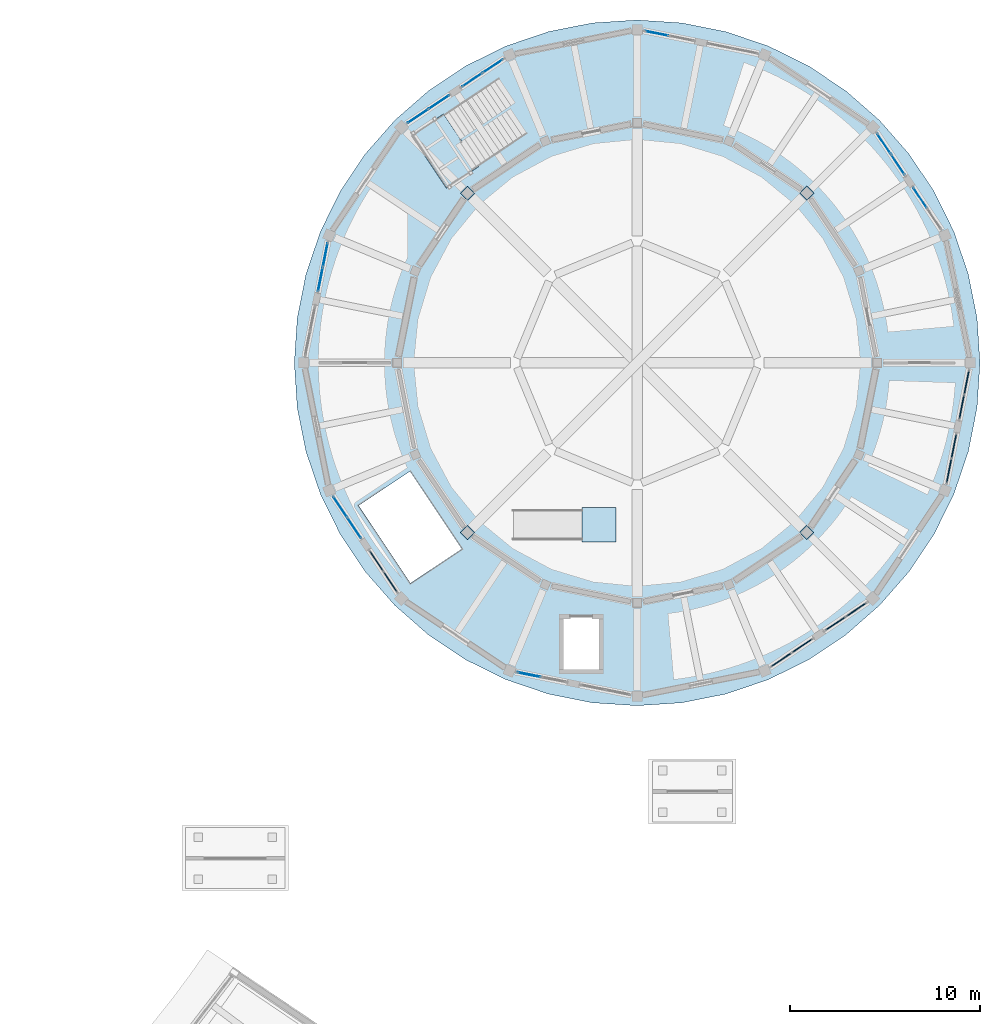
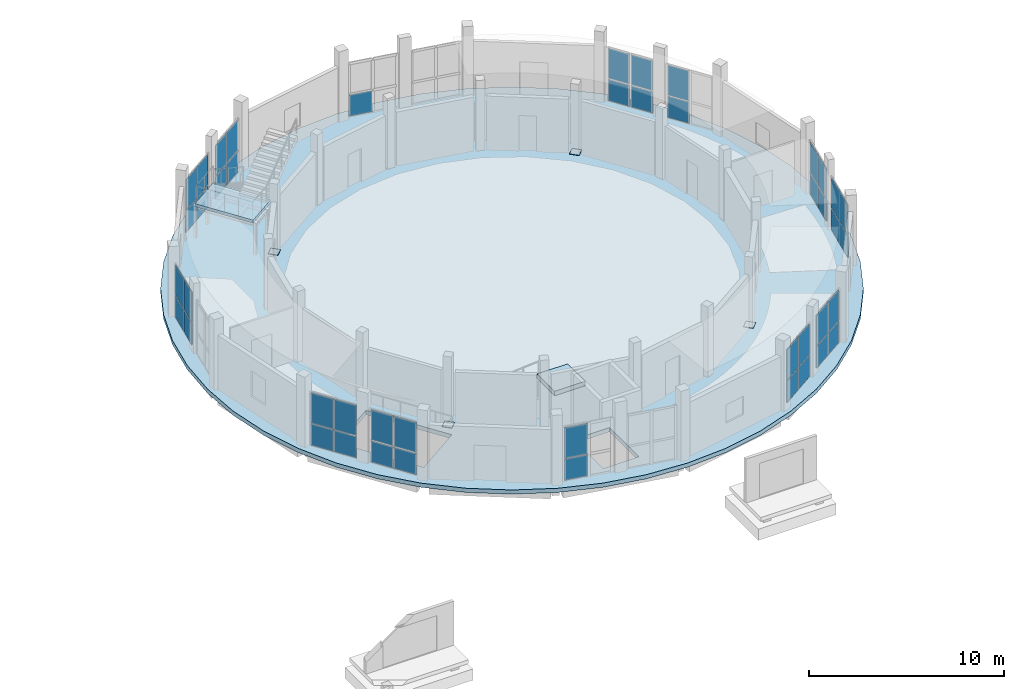
# One storey, part 57 of 92: 49 plates, 3 slabs, 14 elements without a shape of their own.
"""IFC4 building model written with IfcOpenShell, lengths in metres."""

from ifc_helpers import new_model, si_unit, direction, frame, origin, origin_2d, place, context, subcontext, project, spatial, polyline, rectangle, outline, extrude, material, layer, layer_set, type_object, element, aggregate, save


model = new_model("IFC4")

# Units and contexts
model_context = context("Model", 3, precision=1e-05, world=origin(), true_north=direction((0.0, 1.0)))
body_context = subcontext(model_context, "Body", "Model", "MODEL_VIEW")
ifc_project = project(units=[si_unit("LENGTHUNIT", "METRE"), si_unit("AREAUNIT", "SQUARE_METRE"), si_unit("VOLUMEUNIT", "CUBIC_METRE"), si_unit("PLANEANGLEUNIT", "RADIAN"), si_unit("MASSUNIT", "GRAM", prefix="KILO")], contexts=[model_context])

# Site, building, storey
site_placement = place(None, origin())
site = spatial("IfcSite", under=ifc_project, at=site_placement, CompositionType="ELEMENT")
building_placement = place(site_placement, origin())
building = spatial("IfcBuilding", under=site, at=building_placement, Name="Caldaven Crescent School", CompositionType="ELEMENT")
storey_placement = place(building_placement, origin())
storey = spatial("IfcBuildingStorey", under=building, at=storey_placement, Name="L00", CompositionType="ELEMENT", Elevation=0.0)

# Plates
ifc_material_1 = material(Name="Steel ASTM A572 Grade 50", Category="steel")
ifc_layer_1 = layer(ifc_material_1, 0.02001953125)
ifc_layer_set_1 = layer_set([ifc_layer_1], Name="Steel ASTM A572 Grade 50")
plate_type_1 = type_object("IfcPlateType", Name="PLT-BAS1", PredefinedType="SHEET", material=ifc_layer_set_1)
for number, where, z_axis, x_axis, name in (
    (1, (161.409423828125, 107.409423828125, 0.0), (0.0, 0.0, 1.0), (0.707106781187, 0.707106781187, 0.0), "PLT-BAS-V1-02"),
    (2, (143.590576171875, 107.409423828125, 0.0), (0.0, 0.0, 1.0), (-0.707106781187, 0.707106781187, 0.0), "PLT-BAS-V1-06"),
    (3, (143.590576171875, 89.590576171875, 0.0), (0.0, 0.0, 1.0), (-0.707106781187, -0.707106781187, 0.0), "PLT-BAS-V1-10"),
    (4, (161.409423828125, 89.590576171875, 0.0), (0.0, 0.0, 1.0), (0.707106781187, -0.707106781187, 0.0), "PLT-BAS-V1-14"),
):
    element("IfcPlate", number, at=place(storey_placement, frame(where, z_axis=z_axis, x_axis=x_axis)), inside=storey, type_object=plate_type_1, Name=name, PredefinedType="SHEET", context=body_context, shape_type="SweptSolid", body=[
        extrude(rectangle(XDim=0.52001953125, YDim=0.52001953125, at=origin_2d()), origin(), (0.0, 0.0, 1.0), 0.02001953125),
    ])

# Curtain wall, plates
ifc_material_2 = material(Name="Anodised aluminium AA 6063-T6 and low-E double glazing", Category="aluminium")
ifc_layer_2 = layer(ifc_material_2, 0.18994140625)
ifc_layer_set_2 = layer_set([ifc_layer_2], Name="Anodised aluminium AA 6063-T6 and low-E double glazing")
curtain_wall_type_1 = type_object("IfcCurtainWallType", Name="CW-SYS2", PredefinedType="NOTDEFINED", material=ifc_layer_set_2)
curtain_wall_1_placement = place(storey_placement, origin())
curtain_wall_1 = element("IfcCurtainWall", 5, at=curtain_wall_1_placement, inside=storey, type_object=curtain_wall_type_1, Name="CW-L00-001", PredefinedType="NOTDEFINED")
ifc_material_3 = material(Name="Tempered low-E double glazing IGU", Category="glass")
ifc_layer_3 = layer(ifc_material_3, 0.028076171875)
ifc_layer_set_3 = layer_set([ifc_layer_3], Name="Tempered low-E double glazing IGU")
plate_type_2 = type_object("IfcPlateType", Name="PLT-CWP02", PredefinedType="CURTAIN_PANEL", material=ifc_layer_set_3)
plate_1_placement = place(storey_placement, frame((167.354248046875, 107.162841796875, 0.06005859375), z_axis=(0.0, 0.0, 1.0), x_axis=(-0.555569320019, 0.83147022235, 0.0)))
plate_1 = element("IfcPlate", 6, at=plate_1_placement, type_object=plate_type_2, Name="CW2 panel 2.1", PredefinedType="CURTAIN_PANEL", context=body_context, shape_type="SweptSolid", body=[
    extrude(rectangle(XDim=1.24951171875, YDim=0.028076171875, at=origin_2d()), origin(), (0.0, 0.0, 1.0), 1.337890625),
])
plate_2_placement = place(storey_placement, frame((167.354248046875, 107.162841796875, 1.4580078125), z_axis=(0.0, 0.0, 1.0), x_axis=(-0.555569320019, 0.83147022235, 0.0)))
plate_2 = element("IfcPlate", 7, at=plate_2_placement, type_object=plate_type_2, Name="CW2 panel 2.2", PredefinedType="CURTAIN_PANEL", context=body_context, shape_type="SweptSolid", body=[
    extrude(rectangle(XDim=1.24951171875, YDim=0.028076171875, at=origin_2d()), origin(), (0.0, 0.0, 1.0), 1.882080078125),
])
aggregate(curtain_wall_1, [plate_1, plate_2])

ifc_layer_4 = layer(ifc_material_2, 0.2099609375)
ifc_layer_set_4 = layer_set([ifc_layer_4], Name="Anodised aluminium AA 6063-T6 and low-E double glazing")
curtain_wall_type_2 = type_object("IfcCurtainWallType", Name="CW-SYS3", PredefinedType="NOTDEFINED", material=ifc_layer_set_4)
curtain_wall_2_placement = place(storey_placement, origin())
curtain_wall_2 = element("IfcCurtainWall", 8, at=curtain_wall_2_placement, inside=storey, type_object=curtain_wall_type_2, Name="CW-L00-002", PredefinedType="NOTDEFINED")
ifc_layer_5 = layer(ifc_material_3, 0.030029296875)
ifc_layer_set_5 = layer_set([ifc_layer_5], Name="Tempered low-E double glazing IGU")
plate_type_3 = type_object("IfcPlateType", Name="PLT-CWP03", PredefinedType="CURTAIN_PANEL", material=ifc_layer_set_5)
plate_3_placement = place(storey_placement, frame((166.187255859375, 108.90966796875, 0.06494140625), z_axis=(0.0, 0.0, 1.0), x_axis=(-0.555571886154, 0.831468507711, 0.0)))
plate_3 = element("IfcPlate", 9, at=plate_3_placement, type_object=plate_type_3, Name="CW3 panel 1.1", PredefinedType="CURTAIN_PANEL", context=body_context, shape_type="SweptSolid", body=[
    extrude(rectangle(XDim=1.241943359375, YDim=0.030029296875, at=origin_2d()), origin(), (0.0, 0.0, 1.0), 1.33056640625),
])
plate_4_placement = place(storey_placement, frame((166.187255859375, 108.90966796875, 1.46044921875), z_axis=(0.0, 0.0, 1.0), x_axis=(-0.555571886154, 0.831468507711, 0.0)))
plate_4 = element("IfcPlate", 10, at=plate_4_placement, type_object=plate_type_3, Name="CW3 panel 1.2", PredefinedType="CURTAIN_PANEL", context=body_context, shape_type="SweptSolid", body=[
    extrude(rectangle(XDim=1.241943359375, YDim=0.030029296875, at=origin_2d()), origin(), (0.0, 0.0, 1.0), 1.87451171875),
])
plate_5_placement = place(storey_placement, frame((165.458251953125, 110.00048828125, 0.06494140625), z_axis=(0.0, 0.0, 1.0), x_axis=(-0.555571886154, 0.831468507711, 0.0)))
plate_5 = element("IfcPlate", 11, at=plate_5_placement, type_object=plate_type_3, Name="CW3 panel 2.1", PredefinedType="CURTAIN_PANEL", context=body_context, shape_type="SweptSolid", body=[
    extrude(rectangle(XDim=1.241943359375, YDim=0.030029296875, at=origin_2d()), origin(), (0.0, 0.0, 1.0), 1.33056640625),
])
plate_6_placement = place(storey_placement, frame((165.458251953125, 110.00048828125, 1.46044921875), z_axis=(0.0, 0.0, 1.0), x_axis=(-0.555571886154, 0.831468507711, 0.0)))
plate_6 = element("IfcPlate", 12, at=plate_6_placement, type_object=plate_type_3, Name="CW3 panel 2.2", PredefinedType="CURTAIN_PANEL", context=body_context, shape_type="SweptSolid", body=[
    extrude(rectangle(XDim=1.241943359375, YDim=0.030029296875, at=origin_2d()), origin(), (0.0, 0.0, 1.0), 1.87451171875),
])
aggregate(curtain_wall_2, [plate_3, plate_4, plate_5, plate_6])

# Curtain wall, plate
ifc_layer_6 = layer(ifc_material_2, 0.169921875)
ifc_layer_set_6 = layer_set([ifc_layer_6], Name="Anodised aluminium AA 6063-T6 and low-E double glazing")
curtain_wall_type_3 = type_object("IfcCurtainWallType", Name="CW-SYS1", PredefinedType="NOTDEFINED", material=ifc_layer_set_6)
curtain_wall_3_placement = place(storey_placement, origin())
curtain_wall_3 = element("IfcCurtainWall", 13, at=curtain_wall_3_placement, inside=storey, type_object=curtain_wall_type_3, Name="CW-L00-004", PredefinedType="NOTDEFINED")
ifc_layer_7 = layer(ifc_material_3, 0.033935546875)
ifc_layer_set_7 = layer_set([ifc_layer_7], Name="Tempered low-E double glazing IGU")
plate_type_4 = type_object("IfcPlateType", Name="PLT-CWP05", PredefinedType="CURTAIN_PANEL", material=ifc_layer_set_7)
plate_7_placement = place(storey_placement, frame((153.529541015625, 115.795166015625, 0.06982421875), z_axis=(0.0, 0.0, 1.0), x_axis=(-0.980785289392, 0.195090276825, 0.0)))
plate_7 = element("IfcPlate", 14, at=plate_7_placement, type_object=plate_type_4, Name="CW1 panel 2.1", PredefinedType="CURTAIN_PANEL", context=body_context, shape_type="SweptSolid", body=[
    extrude(rectangle(XDim=1.24951171875, YDim=0.033935546875, at=origin_2d()), origin(), (0.0, 0.0, 1.0), 1.322998046875),
])
aggregate(curtain_wall_3, [plate_7])

# Curtain wall, plates
curtain_wall_4_placement = place(storey_placement, origin())
curtain_wall_4 = element("IfcCurtainWall", 15, at=curtain_wall_4_placement, inside=storey, type_object=curtain_wall_type_1, Name="CW-L00-005", PredefinedType="NOTDEFINED")
ifc_layer_8 = layer(ifc_material_3, 0.035888671875)
ifc_layer_set_8 = layer_set([ifc_layer_8], Name="Tempered low-E double glazing IGU")
plate_type_5 = type_object("IfcPlateType", Name="PLT-CWP06", PredefinedType="CURTAIN_PANEL", material=ifc_layer_set_8)
plate_8_placement = place(storey_placement, frame((144.92919921875, 114.083984375, 0.06982421875), z_axis=(0.0, 0.0, 1.0), x_axis=(-0.83147022235, -0.555569320019, 0.0)))
plate_8 = element("IfcPlate", 16, at=plate_8_placement, type_object=plate_type_5, Name="CW2 panel 1.1", PredefinedType="CURTAIN_PANEL", context=body_context, shape_type="SweptSolid", body=[
    extrude(rectangle(XDim=1.241943359375, YDim=0.035888671875, at=origin_2d()), origin(), (0.0, 0.0, 1.0), 1.322998046875),
])
plate_9_placement = place(storey_placement, frame((144.92919921875, 114.083984375, 1.462890625), z_axis=(0.0, 0.0, 1.0), x_axis=(-0.83147022235, -0.555569320019, 0.0)))
plate_9 = element("IfcPlate", 17, at=plate_9_placement, type_object=plate_type_5, Name="CW2 panel 1.2", PredefinedType="CURTAIN_PANEL", context=body_context, shape_type="SweptSolid", body=[
    extrude(rectangle(XDim=1.241943359375, YDim=0.035888671875, at=origin_2d()), origin(), (0.0, 0.0, 1.0), 1.866943359375),
])
plate_10_placement = place(storey_placement, frame((143.838134765625, 113.35498046875, 0.06982421875), z_axis=(0.0, 0.0, 1.0), x_axis=(-0.83147022235, -0.555569320019, 0.0)))
plate_10 = element("IfcPlate", 18, at=plate_10_placement, type_object=plate_type_5, Name="CW2 panel 2.1", PredefinedType="CURTAIN_PANEL", context=body_context, shape_type="SweptSolid", body=[
    extrude(rectangle(XDim=1.241943359375, YDim=0.035888671875, at=origin_2d()), origin(), (0.0, 0.0, 1.0), 1.322998046875),
])
plate_11_placement = place(storey_placement, frame((143.838134765625, 113.35498046875, 1.462890625), z_axis=(0.0, 0.0, 1.0), x_axis=(-0.83147022235, -0.555569320019, 0.0)))
plate_11 = element("IfcPlate", 19, at=plate_11_placement, type_object=plate_type_5, Name="CW2 panel 2.2", PredefinedType="CURTAIN_PANEL", context=body_context, shape_type="SweptSolid", body=[
    extrude(rectangle(XDim=1.241943359375, YDim=0.035888671875, at=origin_2d()), origin(), (0.0, 0.0, 1.0), 1.866943359375),
])
aggregate(curtain_wall_4, [plate_8, plate_9, plate_10, plate_11])

curtain_wall_5_placement = place(storey_placement, origin())
curtain_wall_5 = element("IfcCurtainWall", 20, at=curtain_wall_5_placement, inside=storey, type_object=curtain_wall_type_2, Name="CW-L00-006", PredefinedType="NOTDEFINED")
ifc_layer_9 = layer(ifc_material_3, 0.0380859375)
ifc_layer_set_9 = layer_set([ifc_layer_9], Name="Tempered low-E double glazing IGU")
plate_type_6 = type_object("IfcPlateType", Name="PLT-CWP07", PredefinedType="CURTAIN_PANEL", material=ifc_layer_set_9)
plate_12_placement = place(storey_placement, frame((142.092529296875, 112.188720703125, 0.06005859375), z_axis=(0.0, 0.0, 1.0), x_axis=(-0.831468507711, -0.555571886154, 0.0)))
plate_12 = element("IfcPlate", 21, at=plate_12_placement, type_object=plate_type_6, Name="CW3 panel 1.1", PredefinedType="CURTAIN_PANEL", context=body_context, shape_type="SweptSolid", body=[
    extrude(rectangle(XDim=1.257080078125, YDim=0.0380859375, at=origin_2d()), origin(), (0.0, 0.0, 1.0), 1.337890625),
])
plate_13_placement = place(storey_placement, frame((142.092529296875, 112.188720703125, 1.4580078125), z_axis=(0.0, 0.0, 1.0), x_axis=(-0.831468507711, -0.555571886154, 0.0)))
plate_13 = element("IfcPlate", 22, at=plate_13_placement, type_object=plate_type_6, Name="CW3 panel 1.2", PredefinedType="CURTAIN_PANEL", context=body_context, shape_type="SweptSolid", body=[
    extrude(rectangle(XDim=1.257080078125, YDim=0.0380859375, at=origin_2d()), origin(), (0.0, 0.0, 1.0), 1.882080078125),
])
plate_14_placement = place(storey_placement, frame((140.99755859375, 111.456787109375, 0.06005859375), z_axis=(0.0, 0.0, 1.0), x_axis=(-0.831468507711, -0.555571886154, 0.0)))
plate_14 = element("IfcPlate", 23, at=plate_14_placement, type_object=plate_type_6, Name="CW3 panel 2.1", PredefinedType="CURTAIN_PANEL", context=body_context, shape_type="SweptSolid", body=[
    extrude(rectangle(XDim=1.257080078125, YDim=0.0380859375, at=origin_2d()), origin(), (0.0, 0.0, 1.0), 1.337890625),
])
plate_15_placement = place(storey_placement, frame((140.99755859375, 111.456787109375, 1.4580078125), z_axis=(0.0, 0.0, 1.0), x_axis=(-0.831468507711, -0.555571886154, 0.0)))
plate_15 = element("IfcPlate", 24, at=plate_15_placement, type_object=plate_type_6, Name="CW3 panel 2.2", PredefinedType="CURTAIN_PANEL", context=body_context, shape_type="SweptSolid", body=[
    extrude(rectangle(XDim=1.257080078125, YDim=0.0380859375, at=origin_2d()), origin(), (0.0, 0.0, 1.0), 1.882080078125),
])
aggregate(curtain_wall_5, [plate_12, plate_13, plate_14, plate_15])

ifc_layer_10 = layer(ifc_material_2, 0.22998046875)
ifc_layer_set_10 = layer_set([ifc_layer_10], Name="Anodised aluminium AA 6063-T6 and low-E double glazing")
curtain_wall_type_4 = type_object("IfcCurtainWallType", Name="CW-SYS4", PredefinedType="NOTDEFINED", material=ifc_layer_set_10)
curtain_wall_6_placement = place(storey_placement, origin())
curtain_wall_6 = element("IfcCurtainWall", 25, at=curtain_wall_6_placement, inside=storey, type_object=curtain_wall_type_4, Name="CW-L00-007", PredefinedType="NOTDEFINED")
ifc_layer_11 = layer(ifc_material_3, 0.0400390625)
ifc_layer_set_11 = layer_set([ifc_layer_11], Name="Tempered low-E double glazing IGU")
plate_type_7 = type_object("IfcPlateType", Name="PLT-CWP08", PredefinedType="CURTAIN_PANEL", material=ifc_layer_set_11)
plate_16_placement = place(storey_placement, frame((136.127197265625, 104.16748046875, 0.06005859375), z_axis=(0.0, 0.0, 1.0), x_axis=(-0.195090276825, -0.980785289392, 0.0)))
plate_16 = element("IfcPlate", 26, at=plate_16_placement, type_object=plate_type_7, Name="CW4 panel 1.1", PredefinedType="CURTAIN_PANEL", context=body_context, shape_type="SweptSolid", body=[
    extrude(rectangle(XDim=1.24951171875, YDim=0.0400390625, at=origin_2d()), origin(), (0.0, 0.0, 1.0), 1.337890625),
])
plate_17_placement = place(storey_placement, frame((136.127197265625, 104.16748046875, 1.4580078125), z_axis=(0.0, 0.0, 1.0), x_axis=(-0.195090276825, -0.980785289392, 0.0)))
plate_17 = element("IfcPlate", 27, at=plate_17_placement, type_object=plate_type_7, Name="CW4 panel 1.2", PredefinedType="CURTAIN_PANEL", context=body_context, shape_type="SweptSolid", body=[
    extrude(rectangle(XDim=1.24951171875, YDim=0.0400390625, at=origin_2d()), origin(), (0.0, 0.0, 1.0), 1.882080078125),
])
plate_18_placement = place(storey_placement, frame((135.870849609375, 102.878173828125, 0.06005859375), z_axis=(0.0, 0.0, 1.0), x_axis=(-0.195090276825, -0.980785289392, 0.0)))
plate_18 = element("IfcPlate", 28, at=plate_18_placement, type_object=plate_type_7, Name="CW4 panel 2.1", PredefinedType="CURTAIN_PANEL", context=body_context, shape_type="SweptSolid", body=[
    extrude(rectangle(XDim=1.24951171875, YDim=0.0400390625, at=origin_2d()), origin(), (0.0, 0.0, 1.0), 1.337890625),
])
plate_19_placement = place(storey_placement, frame((135.870849609375, 102.878173828125, 1.4580078125), z_axis=(0.0, 0.0, 1.0), x_axis=(-0.195090276825, -0.980785289392, 0.0)))
plate_19 = element("IfcPlate", 29, at=plate_19_placement, type_object=plate_type_7, Name="CW4 panel 2.2", PredefinedType="CURTAIN_PANEL", context=body_context, shape_type="SweptSolid", body=[
    extrude(rectangle(XDim=1.24951171875, YDim=0.0400390625, at=origin_2d()), origin(), (0.0, 0.0, 1.0), 1.882080078125),
])
aggregate(curtain_wall_6, [plate_16, plate_17, plate_18, plate_19])

curtain_wall_7_placement = place(storey_placement, origin())
curtain_wall_7 = element("IfcCurtainWall", 30, at=curtain_wall_7_placement, inside=storey, type_object=curtain_wall_type_1, Name="CW-L00-009", PredefinedType="NOTDEFINED")
ifc_layer_12 = layer(ifc_material_3, 0.0439453125)
ifc_layer_set_12 = layer_set([ifc_layer_12], Name="Tempered low-E double glazing IGU")
plate_type_8 = type_object("IfcPlateType", Name="PLT-CWP10", PredefinedType="CURTAIN_PANEL", material=ifc_layer_set_12)
plate_20_placement = place(storey_placement, frame((136.91455078125, 90.93115234375, 0.06494140625), z_axis=(0.0, 0.0, 1.0), x_axis=(0.555569320019, -0.83147022235, 0.0)))
plate_20 = element("IfcPlate", 31, at=plate_20_placement, type_object=plate_type_8, Name="CW2 panel 1.1", PredefinedType="CURTAIN_PANEL", context=body_context, shape_type="SweptSolid", body=[
    extrude(rectangle(XDim=1.257080078125, YDim=0.0439453125, at=origin_2d()), origin(), (0.0, 0.0, 1.0), 1.33056640625),
])
plate_21_placement = place(storey_placement, frame((136.91455078125, 90.93115234375, 1.46044921875), z_axis=(0.0, 0.0, 1.0), x_axis=(0.555569320019, -0.83147022235, 0.0)))
plate_21 = element("IfcPlate", 32, at=plate_21_placement, type_object=plate_type_8, Name="CW2 panel 1.2", PredefinedType="CURTAIN_PANEL", context=body_context, shape_type="SweptSolid", body=[
    extrude(rectangle(XDim=1.257080078125, YDim=0.0439453125, at=origin_2d()), origin(), (0.0, 0.0, 1.0), 1.87451171875),
])
plate_22_placement = place(storey_placement, frame((137.646240234375, 89.836181640625, 0.06494140625), z_axis=(0.0, 0.0, 1.0), x_axis=(0.555569320019, -0.83147022235, 0.0)))
plate_22 = element("IfcPlate", 33, at=plate_22_placement, type_object=plate_type_8, Name="CW2 panel 2.1", PredefinedType="CURTAIN_PANEL", context=body_context, shape_type="SweptSolid", body=[
    extrude(rectangle(XDim=1.257080078125, YDim=0.0439453125, at=origin_2d()), origin(), (0.0, 0.0, 1.0), 1.33056640625),
])
plate_23_placement = place(storey_placement, frame((137.646240234375, 89.836181640625, 1.46044921875), z_axis=(0.0, 0.0, 1.0), x_axis=(0.555569320019, -0.83147022235, 0.0)))
plate_23 = element("IfcPlate", 34, at=plate_23_placement, type_object=plate_type_8, Name="CW2 panel 2.2", PredefinedType="CURTAIN_PANEL", context=body_context, shape_type="SweptSolid", body=[
    extrude(rectangle(XDim=1.257080078125, YDim=0.0439453125, at=origin_2d()), origin(), (0.0, 0.0, 1.0), 1.87451171875),
])
aggregate(curtain_wall_7, [plate_20, plate_21, plate_22, plate_23])

curtain_wall_8_placement = place(storey_placement, origin())
curtain_wall_8 = element("IfcCurtainWall", 35, at=curtain_wall_8_placement, inside=storey, type_object=curtain_wall_type_2, Name="CW-L00-010", PredefinedType="NOTDEFINED")
ifc_layer_13 = layer(ifc_material_3, 0.0458984375)
ifc_layer_set_13 = layer_set([ifc_layer_13], Name="Tempered low-E double glazing IGU")
plate_type_9 = type_object("IfcPlateType", Name="PLT-CWP11", PredefinedType="CURTAIN_PANEL", material=ifc_layer_set_13)
plate_24_placement = place(storey_placement, frame((138.81201171875, 88.091552734375, 0.06982421875), z_axis=(0.0, 0.0, 1.0), x_axis=(0.555571886154, -0.831468507711, 0.0)))
plate_24 = element("IfcPlate", 36, at=plate_24_placement, type_object=plate_type_9, Name="CW3 panel 1.1", PredefinedType="CURTAIN_PANEL", context=body_context, shape_type="SweptSolid", body=[
    extrude(rectangle(XDim=1.24951171875, YDim=0.0458984375, at=origin_2d()), origin(), (0.0, 0.0, 1.0), 1.322998046875),
])
plate_25_placement = place(storey_placement, frame((138.81201171875, 88.091552734375, 1.462890625), z_axis=(0.0, 0.0, 1.0), x_axis=(0.555571886154, -0.831468507711, 0.0)))
plate_25 = element("IfcPlate", 37, at=plate_25_placement, type_object=plate_type_9, Name="CW3 panel 1.2", PredefinedType="CURTAIN_PANEL", context=body_context, shape_type="SweptSolid", body=[
    extrude(rectangle(XDim=1.24951171875, YDim=0.0458984375, at=origin_2d()), origin(), (0.0, 0.0, 1.0), 1.866943359375),
])
plate_26_placement = place(storey_placement, frame((139.54248046875, 86.99853515625, 0.06982421875), z_axis=(0.0, 0.0, 1.0), x_axis=(0.555571886154, -0.831468507711, 0.0)))
plate_26 = element("IfcPlate", 38, at=plate_26_placement, type_object=plate_type_9, Name="CW3 panel 2.1", PredefinedType="CURTAIN_PANEL", context=body_context, shape_type="SweptSolid", body=[
    extrude(rectangle(XDim=1.24951171875, YDim=0.0458984375, at=origin_2d()), origin(), (0.0, 0.0, 1.0), 1.322998046875),
])
plate_27_placement = place(storey_placement, frame((139.54248046875, 86.99853515625, 1.462890625), z_axis=(0.0, 0.0, 1.0), x_axis=(0.555571886154, -0.831468507711, 0.0)))
plate_27 = element("IfcPlate", 39, at=plate_27_placement, type_object=plate_type_9, Name="CW3 panel 2.2", PredefinedType="CURTAIN_PANEL", context=body_context, shape_type="SweptSolid", body=[
    extrude(rectangle(XDim=1.24951171875, YDim=0.0458984375, at=origin_2d()), origin(), (0.0, 0.0, 1.0), 1.866943359375),
])
aggregate(curtain_wall_8, [plate_24, plate_25, plate_26, plate_27])

curtain_wall_9_placement = place(storey_placement, origin())
curtain_wall_9 = element("IfcCurtainWall", 40, at=curtain_wall_9_placement, inside=storey, type_object=curtain_wall_type_4, Name="CW-L00-011", PredefinedType="NOTDEFINED")
ifc_layer_14 = layer(ifc_material_3, 0.048095703125)
ifc_layer_set_14 = layer_set([ifc_layer_14], Name="Tempered low-E double glazing IGU")
plate_type_10 = type_object("IfcPlateType", Name="PLT-CWP12", PredefinedType="CURTAIN_PANEL", material=ifc_layer_set_14)
plate_28_placement = place(storey_placement, frame((146.833984375, 82.126953125, 0.06982421875), z_axis=(0.0, 0.0, 1.0), x_axis=(0.980785289392, -0.195090276825, 0.0)))
plate_28 = element("IfcPlate", 41, at=plate_28_placement, type_object=plate_type_10, Name="CW4 panel 1.1", PredefinedType="CURTAIN_PANEL", context=body_context, shape_type="SweptSolid", body=[
    extrude(rectangle(XDim=1.241943359375, YDim=0.048095703125, at=origin_2d()), origin(), (0.0, 0.0, 1.0), 1.322998046875),
])
plate_29_placement = place(storey_placement, frame((146.833984375, 82.126953125, 1.462890625), z_axis=(0.0, 0.0, 1.0), x_axis=(0.980785289392, -0.195090276825, 0.0)))
plate_29 = element("IfcPlate", 42, at=plate_29_placement, type_object=plate_type_10, Name="CW4 panel 1.2", PredefinedType="CURTAIN_PANEL", context=body_context, shape_type="SweptSolid", body=[
    extrude(rectangle(XDim=1.241943359375, YDim=0.048095703125, at=origin_2d()), origin(), (0.0, 0.0, 1.0), 1.866943359375),
])
aggregate(curtain_wall_9, [plate_28, plate_29])

curtain_wall_10_placement = place(storey_placement, origin())
curtain_wall_10 = element("IfcCurtainWall", 43, at=curtain_wall_10_placement, inside=storey, type_object=curtain_wall_type_1, Name="CW-L00-013", PredefinedType="NOTDEFINED")
ifc_layer_15 = layer(ifc_material_3, 0.052001953125)
ifc_layer_set_15 = layer_set([ifc_layer_15], Name="Tempered low-E double glazing IGU")
plate_type_11 = type_object("IfcPlateType", Name="PLT-CWP14", PredefinedType="CURTAIN_PANEL", material=ifc_layer_set_15)
plate_30_placement = place(storey_placement, frame((160.06982421875, 82.915283203125, 0.06005859375), z_axis=(0.0, 0.0, 1.0), x_axis=(0.83147022235, 0.555569320019, 0.0)))
plate_30 = element("IfcPlate", 44, at=plate_30_placement, type_object=plate_type_11, Name="CW2 panel 1.1", PredefinedType="CURTAIN_PANEL", context=body_context, shape_type="SweptSolid", body=[
    extrude(rectangle(XDim=1.24951171875, YDim=0.052001953125, at=origin_2d()), origin(), (0.0, 0.0, 1.0), 1.337890625),
])
plate_31_placement = place(storey_placement, frame((160.06982421875, 82.915283203125, 1.4580078125), z_axis=(0.0, 0.0, 1.0), x_axis=(0.83147022235, 0.555569320019, 0.0)))
plate_31 = element("IfcPlate", 45, at=plate_31_placement, type_object=plate_type_11, Name="CW2 panel 1.2", PredefinedType="CURTAIN_PANEL", context=body_context, shape_type="SweptSolid", body=[
    extrude(rectangle(XDim=1.24951171875, YDim=0.052001953125, at=origin_2d()), origin(), (0.0, 0.0, 1.0), 1.882080078125),
])
plate_32_placement = place(storey_placement, frame((161.162841796875, 83.645751953125, 0.06005859375), z_axis=(0.0, 0.0, 1.0), x_axis=(0.83147022235, 0.555569320019, 0.0)))
plate_32 = element("IfcPlate", 46, at=plate_32_placement, type_object=plate_type_11, Name="CW2 panel 2.1", PredefinedType="CURTAIN_PANEL", context=body_context, shape_type="SweptSolid", body=[
    extrude(rectangle(XDim=1.24951171875, YDim=0.052001953125, at=origin_2d()), origin(), (0.0, 0.0, 1.0), 1.337890625),
])
plate_33_placement = place(storey_placement, frame((161.162841796875, 83.645751953125, 1.4580078125), z_axis=(0.0, 0.0, 1.0), x_axis=(0.83147022235, 0.555569320019, 0.0)))
plate_33 = element("IfcPlate", 47, at=plate_33_placement, type_object=plate_type_11, Name="CW2 panel 2.2", PredefinedType="CURTAIN_PANEL", context=body_context, shape_type="SweptSolid", body=[
    extrude(rectangle(XDim=1.24951171875, YDim=0.052001953125, at=origin_2d()), origin(), (0.0, 0.0, 1.0), 1.882080078125),
])
aggregate(curtain_wall_10, [plate_30, plate_31, plate_32, plate_33])

curtain_wall_11_placement = place(storey_placement, origin())
curtain_wall_11 = element("IfcCurtainWall", 48, at=curtain_wall_11_placement, inside=storey, type_object=curtain_wall_type_2, Name="CW-L00-014", PredefinedType="NOTDEFINED")
ifc_layer_16 = layer(ifc_material_3, 0.053955078125)
ifc_layer_set_16 = layer_set([ifc_layer_16], Name="Tempered low-E double glazing IGU")
plate_type_12 = type_object("IfcPlateType", Name="PLT-CWP15", PredefinedType="CURTAIN_PANEL", material=ifc_layer_set_16)
plate_34_placement = place(storey_placement, frame((162.90966796875, 84.812744140625, 0.06494140625), z_axis=(0.0, 0.0, 1.0), x_axis=(0.831468507711, 0.555571886154, 0.0)))
plate_34 = element("IfcPlate", 49, at=plate_34_placement, type_object=plate_type_12, Name="CW3 panel 1.1", PredefinedType="CURTAIN_PANEL", context=body_context, shape_type="SweptSolid", body=[
    extrude(rectangle(XDim=1.241943359375, YDim=0.053955078125, at=origin_2d()), origin(), (0.0, 0.0, 1.0), 1.33056640625),
])
plate_35_placement = place(storey_placement, frame((162.90966796875, 84.812744140625, 1.46044921875), z_axis=(0.0, 0.0, 1.0), x_axis=(0.831468507711, 0.555571886154, 0.0)))
plate_35 = element("IfcPlate", 50, at=plate_35_placement, type_object=plate_type_12, Name="CW3 panel 1.2", PredefinedType="CURTAIN_PANEL", context=body_context, shape_type="SweptSolid", body=[
    extrude(rectangle(XDim=1.241943359375, YDim=0.053955078125, at=origin_2d()), origin(), (0.0, 0.0, 1.0), 1.87451171875),
])
plate_36_placement = place(storey_placement, frame((164.00048828125, 85.541748046875, 0.06494140625), z_axis=(0.0, 0.0, 1.0), x_axis=(0.831468507711, 0.555571886154, 0.0)))
plate_36 = element("IfcPlate", 51, at=plate_36_placement, type_object=plate_type_12, Name="CW3 panel 2.1", PredefinedType="CURTAIN_PANEL", context=body_context, shape_type="SweptSolid", body=[
    extrude(rectangle(XDim=1.241943359375, YDim=0.053955078125, at=origin_2d()), origin(), (0.0, 0.0, 1.0), 1.33056640625),
])
plate_37_placement = place(storey_placement, frame((164.00048828125, 85.541748046875, 1.46044921875), z_axis=(0.0, 0.0, 1.0), x_axis=(0.831468507711, 0.555571886154, 0.0)))
plate_37 = element("IfcPlate", 52, at=plate_37_placement, type_object=plate_type_12, Name="CW3 panel 2.2", PredefinedType="CURTAIN_PANEL", context=body_context, shape_type="SweptSolid", body=[
    extrude(rectangle(XDim=1.241943359375, YDim=0.053955078125, at=origin_2d()), origin(), (0.0, 0.0, 1.0), 1.87451171875),
])
aggregate(curtain_wall_11, [plate_34, plate_35, plate_36, plate_37])

curtain_wall_12_placement = place(storey_placement, origin())
curtain_wall_12 = element("IfcCurtainWall", 53, at=curtain_wall_12_placement, inside=storey, type_object=curtain_wall_type_4, Name="CW-L00-015", PredefinedType="NOTDEFINED")
ifc_layer_17 = layer(ifc_material_3, 0.055908203125)
ifc_layer_set_17 = layer_set([ifc_layer_17], Name="Tempered low-E double glazing IGU")
plate_type_13 = type_object("IfcPlateType", Name="PLT-CWP16", PredefinedType="CURTAIN_PANEL", material=ifc_layer_set_17)
plate_38_placement = place(storey_placement, frame((168.87255859375, 92.831298828125, 0.06494140625), z_axis=(0.0, 0.0, 1.0), x_axis=(0.195090276825, 0.980785289392, 0.0)))
plate_38 = element("IfcPlate", 54, at=plate_38_placement, type_object=plate_type_13, Name="CW4 panel 1.1", PredefinedType="CURTAIN_PANEL", context=body_context, shape_type="SweptSolid", body=[
    extrude(rectangle(XDim=1.257080078125, YDim=0.055908203125, at=origin_2d()), origin(), (0.0, 0.0, 1.0), 1.33056640625),
])
plate_39_placement = place(storey_placement, frame((168.87255859375, 92.831298828125, 1.46044921875), z_axis=(0.0, 0.0, 1.0), x_axis=(0.195090276825, 0.980785289392, 0.0)))
plate_39 = element("IfcPlate", 55, at=plate_39_placement, type_object=plate_type_13, Name="CW4 panel 1.2", PredefinedType="CURTAIN_PANEL", context=body_context, shape_type="SweptSolid", body=[
    extrude(rectangle(XDim=1.257080078125, YDim=0.055908203125, at=origin_2d()), origin(), (0.0, 0.0, 1.0), 1.87451171875),
])
plate_40_placement = place(storey_placement, frame((169.12939453125, 94.123046875, 0.06494140625), z_axis=(0.0, 0.0, 1.0), x_axis=(0.195090276825, 0.980785289392, 0.0)))
plate_40 = element("IfcPlate", 56, at=plate_40_placement, type_object=plate_type_13, Name="CW4 panel 2.1", PredefinedType="CURTAIN_PANEL", context=body_context, shape_type="SweptSolid", body=[
    extrude(rectangle(XDim=1.257080078125, YDim=0.055908203125, at=origin_2d()), origin(), (0.0, 0.0, 1.0), 1.33056640625),
])
plate_41_placement = place(storey_placement, frame((169.12939453125, 94.123046875, 1.46044921875), z_axis=(0.0, 0.0, 1.0), x_axis=(0.195090276825, 0.980785289392, 0.0)))
plate_41 = element("IfcPlate", 57, at=plate_41_placement, type_object=plate_type_13, Name="CW4 panel 2.2", PredefinedType="CURTAIN_PANEL", context=body_context, shape_type="SweptSolid", body=[
    extrude(rectangle(XDim=1.257080078125, YDim=0.055908203125, at=origin_2d()), origin(), (0.0, 0.0, 1.0), 1.87451171875),
])
aggregate(curtain_wall_12, [plate_38, plate_39, plate_40, plate_41])

curtain_wall_13_placement = place(storey_placement, origin())
curtain_wall_13 = element("IfcCurtainWall", 58, at=curtain_wall_13_placement, inside=storey, type_object=curtain_wall_type_3, Name="CW-L00-016", PredefinedType="NOTDEFINED")
ifc_layer_18 = layer(ifc_material_3, 0.05810546875)
ifc_layer_set_18 = layer_set([ifc_layer_18], Name="Tempered low-E double glazing IGU")
plate_type_14 = type_object("IfcPlateType", Name="PLT-CWP17", PredefinedType="CURTAIN_PANEL", material=ifc_layer_set_18)
plate_42_placement = place(storey_placement, frame((169.538818359375, 96.18115234375, 0.06982421875), z_axis=(0.0, 0.0, 1.0), x_axis=(0.195090276825, 0.980785289392, 0.0)))
plate_42 = element("IfcPlate", 59, at=plate_42_placement, type_object=plate_type_14, Name="CW1 panel 1.1", PredefinedType="CURTAIN_PANEL", context=body_context, shape_type="SweptSolid", body=[
    extrude(rectangle(XDim=1.24951171875, YDim=0.05810546875, at=origin_2d()), origin(), (0.0, 0.0, 1.0), 1.322998046875),
])
plate_43_placement = place(storey_placement, frame((169.538818359375, 96.18115234375, 1.462890625), z_axis=(0.0, 0.0, 1.0), x_axis=(0.195090276825, 0.980785289392, 0.0)))
plate_43 = element("IfcPlate", 60, at=plate_43_placement, type_object=plate_type_14, Name="CW1 panel 1.2", PredefinedType="CURTAIN_PANEL", context=body_context, shape_type="SweptSolid", body=[
    extrude(rectangle(XDim=1.24951171875, YDim=0.05810546875, at=origin_2d()), origin(), (0.0, 0.0, 1.0), 1.866943359375),
])
plate_44_placement = place(storey_placement, frame((169.795166015625, 97.470458984375, 0.06982421875), z_axis=(0.0, 0.0, 1.0), x_axis=(0.195090276825, 0.980785289392, 0.0)))
plate_44 = element("IfcPlate", 61, at=plate_44_placement, type_object=plate_type_14, Name="CW1 panel 2.1", PredefinedType="CURTAIN_PANEL", context=body_context, shape_type="SweptSolid", body=[
    extrude(rectangle(XDim=1.24951171875, YDim=0.05810546875, at=origin_2d()), origin(), (0.0, 0.0, 1.0), 1.322998046875),
])
plate_45_placement = place(storey_placement, frame((169.795166015625, 97.470458984375, 1.462890625), z_axis=(0.0, 0.0, 1.0), x_axis=(0.195090276825, 0.980785289392, 0.0)))
plate_45 = element("IfcPlate", 62, at=plate_45_placement, type_object=plate_type_14, Name="CW1 panel 2.2", PredefinedType="CURTAIN_PANEL", context=body_context, shape_type="SweptSolid", body=[
    extrude(rectangle(XDim=1.24951171875, YDim=0.05810546875, at=origin_2d()), origin(), (0.0, 0.0, 1.0), 1.866943359375),
])
aggregate(curtain_wall_13, [plate_42, plate_43, plate_44, plate_45])

# Slab
ifc_material_4 = material(Name="Concrete C35/45", Category="concrete")
ifc_layer_19 = layer(ifc_material_4, 0.260009765625)
ifc_layer_set_19 = layer_set([ifc_layer_19], Name="Concrete C35/45")
slab_type_1 = type_object("IfcSlabType", Name="SLB-FS1", PredefinedType="FLOOR", material=ifc_layer_set_19)
slab_1_placement = place(storey_placement, frame((0.0, 0.0, -0.260009765625)))
element("IfcSlab", 63, at=slab_1_placement, inside=storey, type_object=slab_type_1, Name="SLB-V1-L00", PredefinedType="FLOOR", context=body_context, shape_type="SweptSolid", body=[
    extrude(outline(polyline([(170.5, 98.5), (170.345947265625, 100.849365234375), (169.88671875, 103.15869140625), (169.1298828125, 105.38818359375), (168.08837890625, 107.5), (166.7802734375, 109.457763671875), (165.22802734375, 111.22802734375), (163.457763671875, 112.7802734375), (161.5, 114.08837890625), (159.38818359375, 115.1298828125), (157.15869140625, 115.88671875), (154.849365234375, 116.345947265625), (152.5, 116.5), (150.150634765625, 116.345947265625), (147.84130859375, 115.88671875), (145.61181640625, 115.1298828125), (143.5, 114.08837890625), (141.542236328125, 112.7802734375), (139.77197265625, 111.22802734375), (138.2197265625, 109.457763671875), (136.91162109375, 107.5), (135.8701171875, 105.38818359375), (135.11328125, 103.15869140625), (134.654052734375, 100.849365234375), (134.5, 98.5), (134.654052734375, 96.150634765625), (135.11328125, 93.84130859375), (135.8701171875, 91.61181640625), (136.91162109375, 89.5), (138.2197265625, 87.542236328125), (139.77197265625, 85.77197265625), (141.542236328125, 84.2197265625), (143.5, 82.91162109375), (145.61181640625, 81.8701171875), (147.84130859375, 81.11328125), (150.150634765625, 80.654052734375), (152.5, 80.5), (154.849365234375, 80.654052734375), (157.15869140625, 81.11328125), (159.38818359375, 81.8701171875), (161.5, 82.91162109375), (163.457763671875, 84.2197265625), (165.22802734375, 85.77197265625), (166.7802734375, 87.542236328125), (168.08837890625, 89.5), (169.1298828125, 91.61181640625), (169.88671875, 93.84130859375), (170.345947265625, 96.150634765625), (170.5, 98.5)]), holes=[polyline([(148.513916015625, 82.2392578125), (148.513916015625, 85.2392578125), (150.61376953125, 85.2392578125), (150.61376953125, 82.2392578125), (148.513916015625, 82.2392578125)]), polyline([(137.87939453125, 91.00634765625), (140.5732421875, 92.806396484375), (143.296630859375, 88.73046875), (140.602783203125, 86.930419921875), (137.87939453125, 91.00634765625)])]), origin(), (0.0, 0.0, 1.0), 0.260009765625),
])

# Stair, slab
ifc_material_5 = material(Name="Precast concrete C30/37", Category="concrete")
stair_type = type_object("IfcStairType", Name="STR-S4", PredefinedType="TWO_STRAIGHT_RUN_STAIR", material=ifc_material_5)
stair_placement = place(storey_placement, origin())
stair = element("IfcStair", 64, at=stair_placement, inside=storey, type_object=stair_type, Name="STAIR-STV1-L00", PredefinedType="TWO_STRAIGHT_RUN_STAIR")
ifc_material_6 = material(Name="Concrete C30/37", Category="concrete")
ifc_layer_20 = layer(ifc_material_6, 0.195068359375)
ifc_layer_set_20 = layer_set([ifc_layer_20], Name="Concrete C30/37")
slab_type_2 = type_object("IfcSlabType", Name="SLB-LND2", PredefinedType="LANDING", material=ifc_layer_set_20)
slab_2_placement = place(storey_placement, frame((0.0, 0.0, 2.014892578125)))
slab_2 = element("IfcSlab", 65, at=slab_2_placement, type_object=slab_type_2, Name="STV1-L00 landing 1", PredefinedType="LANDING", context=body_context, shape_type="SweptSolid", body=[
    extrude(outline(polyline([(142.33642578125, 111.5654296875), (140.641845703125, 110.43310546875), (142.486328125, 107.672607421875), (144.180908203125, 108.804931640625), (142.33642578125, 111.5654296875)])), origin(), (0.0, 0.0, 1.0), 0.195068359375),
])
aggregate(stair, [slab_2])

# Slab
ifc_layer_21 = layer(ifc_material_6, 0.280029296875)
ifc_layer_set_21 = layer_set([ifc_layer_21], Name="Concrete C30/37")
slab_type_3 = type_object("IfcSlabType", Name="SLB-STG", PredefinedType="FLOOR", material=ifc_layer_set_21)
slab_3_placement = place(storey_placement, origin())
element("IfcSlab", 66, at=slab_3_placement, inside=storey, type_object=slab_type_3, Name="SLB-PLINTH-RMP1", PredefinedType="FLOOR", context=body_context, shape_type="SweptSolid", body=[
    extrude(outline(polyline([(149.60009765625, 89.10009765625), (151.39990234375, 89.10009765625), (151.39990234375, 90.89990234375), (149.60009765625, 90.89990234375), (149.60009765625, 89.10009765625)])), origin(), (0.0, 0.0, 1.0), 0.280029296875),
])

save(model, "model.ifc")
